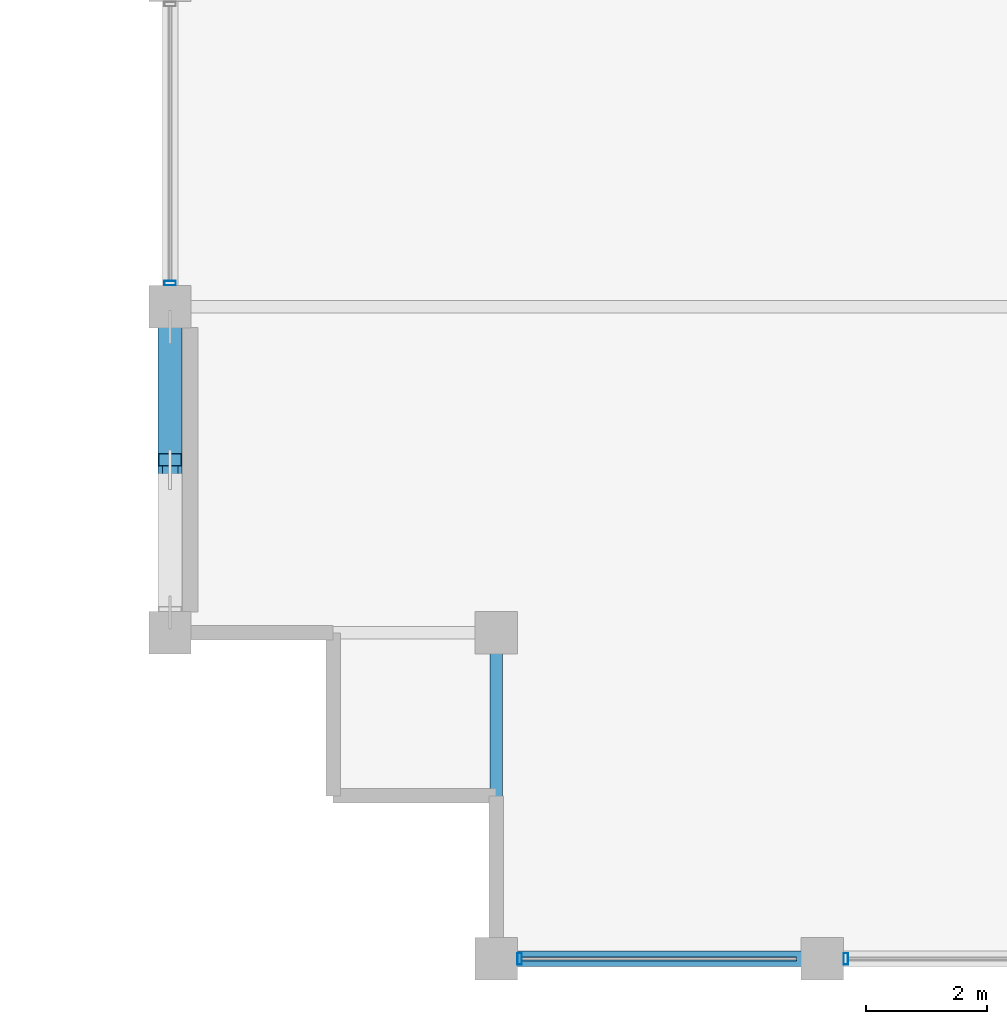
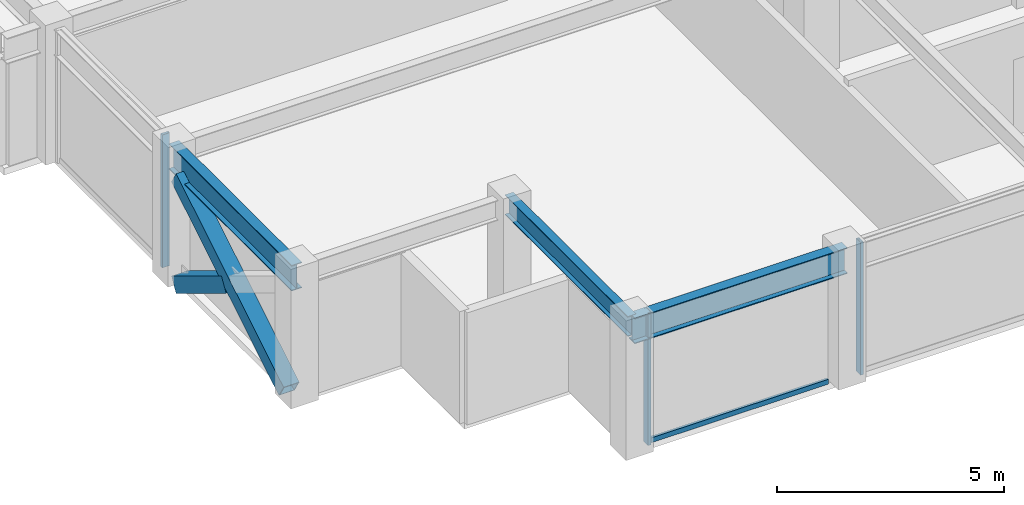
# One storey, part 2 of 31: 6 members, 3 beams, 2 elements without a shape of their own.
"""IFC4 building model written with IfcOpenShell, lengths in metres."""

from ifc_helpers import new_model, si_unit, direction, frame, origin, origin_2d, place, context, subcontext, project, spatial, hollow_rectangle, i_section, extrude, material, layer, layer_set, material_profile, profile_set, type_object, element, aggregate, save


model = new_model("IFC4")

# Units and contexts
model_context = context("Model", 3, precision=1e-05, world=origin(), true_north=direction((0.0, 1.0)))
body_context = subcontext(model_context, "Body", "Model", "MODEL_VIEW")
ifc_project = project(units=[si_unit("LENGTHUNIT", "METRE"), si_unit("AREAUNIT", "SQUARE_METRE"), si_unit("VOLUMEUNIT", "CUBIC_METRE"), si_unit("PLANEANGLEUNIT", "RADIAN"), si_unit("MASSUNIT", "GRAM", prefix="KILO")], contexts=[model_context])

# Site, building, storey
site_placement = place(None, origin())
site = spatial("IfcSite", under=ifc_project, at=site_placement, CompositionType="ELEMENT")
building_placement = place(site_placement, origin())
building = spatial("IfcBuilding", under=site, at=building_placement, Name="Surkhivell Harbour Commons", CompositionType="ELEMENT")
storey_placement = place(building_placement, frame((0.0, 0.0, 270.0)))
storey = spatial("IfcBuildingStorey", under=building, at=storey_placement, Name="L70", CompositionType="ELEMENT", Elevation=270.0)

# Beams
ifc_material_1 = material(Name="Steel S355", Category="steel")
ifc_material_profile_1 = material_profile(ifc_material_1, i_section(OverallWidth=0.2099609375, OverallDepth=0.537109375, WebThickness=0.0107421875, FlangeThickness=0.017333984375, at=origin_2d()), Name="UB533x210x101")
ifc_profile_set_1 = profile_set([ifc_material_profile_1], Name="Steel S355")
beam_type_1 = type_object("IfcBeamType", Name="BM-GRD-533B", PredefinedType="BEAM", material=ifc_profile_set_1)
beam_1_placement = place(storey_placement, frame((-21.60009765625, -21.60009765625, 3.301513671875), z_axis=(0.0, 1.0, 0.0), x_axis=(-1.0, 0.0, 0.0)))
element("IfcBeam", 1, at=beam_1_placement, inside=storey, type_object=beam_type_1, Name="L70 Floor Girder (-21.6,-21.6)", PredefinedType="BEAM", context=body_context, shape_type="SweptSolid", body=[
    extrude(i_section(OverallWidth=0.2099609375, OverallDepth=0.537109375, WebThickness=0.0107421875, FlangeThickness=0.017333984375, at=origin_2d()), origin(), (0.0, 0.0, 1.0), 5.400146484375),
])
ifc_material_profile_2 = material_profile(ifc_material_1, i_section(OverallWidth=0.256103515625, OverallDepth=0.693115234375, WebThickness=0.014404296875, FlangeThickness=0.023681640625, at=origin_2d()), Name="UB686x254x170")
ifc_profile_set_2 = profile_set([ifc_material_profile_2], Name="Steel S355")
beam_type_2 = type_object("IfcBeamType", Name="BM-SPN-686", PredefinedType="SPANDREL", material=ifc_profile_set_2)
beam_2_placement = place(storey_placement, frame((-27.0, -16.199951171875, 3.223388671875), z_axis=(0.0, 1.0, 0.0), x_axis=(-1.0, 0.0, 0.0)))
element("IfcBeam", 2, at=beam_2_placement, inside=storey, type_object=beam_type_2, Name="L70 Tube Spandrel (-27.0,-16.2)", PredefinedType="SPANDREL", context=body_context, shape_type="SweptSolid", body=[
    extrude(i_section(OverallWidth=0.256103515625, OverallDepth=0.693115234375, WebThickness=0.014404296875, FlangeThickness=0.023681640625, at=origin_2d()), origin(), (0.0, 0.0, 1.0), 5.39990234375),
])
beam_3_placement = place(storey_placement, frame((-21.60009765625, -21.60009765625, 3.223388671875), z_axis=(1.0, 0.0, 0.0), x_axis=(0.0, 1.0, 0.0)))
element("IfcBeam", 3, at=beam_3_placement, inside=storey, type_object=beam_type_2, Name="L70 Tube Spandrel (-21.6,-21.6)", PredefinedType="SPANDREL", context=body_context, shape_type="SweptSolid", body=[
    extrude(i_section(OverallWidth=0.256103515625, OverallDepth=0.693115234375, WebThickness=0.014404296875, FlangeThickness=0.023681640625, at=origin_2d()), origin(), (0.0, 0.0, 1.0), 5.400146484375),
])

# Curtain wall, members
ifc_material_2 = material(Name="Anodised pale-metal aluminium and insulated glazing", Category="aluminium")
ifc_layer = layer(ifc_material_2, 0.175048828125)
ifc_layer_set = layer_set([ifc_layer], Name="Anodised pale-metal aluminium and insulated glazing")
curtain_wall_type = type_object("IfcCurtainWallType", Name="CW-SYS-Z4", PredefinedType="NOTDEFINED", material=ifc_layer_set)
curtain_wall_1_placement = place(storey_placement, origin())
curtain_wall_1 = element("IfcCurtainWall", 4, at=curtain_wall_1_placement, inside=storey, type_object=curtain_wall_type, Name="L70 Curtain Wall CW-L70-E00S1", PredefinedType="NOTDEFINED")
ifc_material_3 = material(Name="Anodised pale-metal aluminium alloy 6063-T6", Category="aluminium")
ifc_material_profile_3 = material_profile(ifc_material_3, hollow_rectangle(XDim=0.074951171875, YDim=0.18994140625, WallThickness=0.00390625, at=origin_2d()), Name="ALU-MULL-75x190")
ifc_profile_set_3 = profile_set([ifc_material_profile_3], Name="Anodised pale-metal aluminium alloy 6063-T6")
member_type_1 = type_object("IfcMemberType", Name="CWM-190", PredefinedType="MULLION", material=ifc_profile_set_3)
member_1_placement = place(storey_placement, frame((-21.21044921875, -21.60009765625, 0.0), z_axis=(0.0, 0.0, 1.0), x_axis=(1.0, 0.0, 0.0)))
member_1 = element("IfcMember", 5, at=member_1_placement, type_object=member_type_1, Name="CW-Z4 mullion 1", PredefinedType="MULLION", context=body_context, shape_type="SweptSolid", body=[
    extrude(hollow_rectangle(XDim=0.074951171875, YDim=0.18994140625, WallThickness=0.00390625, at=origin_2d()), origin(), (0.0, 0.0, 1.0), 3.570068359375),
])
member_2_placement = place(storey_placement, frame((-15.810546875, -21.60009765625, 0.0), z_axis=(0.0, 0.0, 1.0), x_axis=(1.0, 0.0, 0.0)))
member_2 = element("IfcMember", 6, at=member_2_placement, type_object=member_type_1, Name="CW-Z4 mullion 2", PredefinedType="MULLION", context=body_context, shape_type="SweptSolid", body=[
    extrude(hollow_rectangle(XDim=0.074951171875, YDim=0.18994140625, WallThickness=0.00390625, at=origin_2d()), origin(), (0.0, 0.0, 1.0), 3.570068359375),
])

# Curtain wall, member
curtain_wall_2_placement = place(storey_placement, origin())
curtain_wall_2 = element("IfcCurtainWall", 7, at=curtain_wall_2_placement, inside=storey, type_object=curtain_wall_type, Name="L70 Curtain Wall CW-L70-E12R1S1", PredefinedType="NOTDEFINED")
member_3_placement = place(storey_placement, frame((-27.0, -10.410400390625, 0.0), z_axis=(0.0, 0.0, 1.0), x_axis=(0.0, 1.0, 0.0)))
member_3 = element("IfcMember", 8, at=member_3_placement, type_object=member_type_1, Name="CW-Z4 mullion 1", PredefinedType="MULLION", context=body_context, shape_type="SweptSolid", body=[
    extrude(hollow_rectangle(XDim=0.074951171875, YDim=0.18994140625, WallThickness=0.00390625, at=origin_2d()), origin(), (0.0, 0.0, 1.0), 3.570068359375),
])
aggregate(curtain_wall_2, [member_3])

# Member
ifc_material_4 = material(Name="Champagne anodised aluminium alloy 6063-T6", Category="aluminium")
ifc_material_profile_4 = material_profile(ifc_material_4, hollow_rectangle(XDim=0.070068359375, YDim=0.1298828125, WallThickness=0.00341796875, at=origin_2d()), Name="ALU-TRAN-70x130")
ifc_profile_set_4 = profile_set([ifc_material_profile_4], Name="Champagne anodised aluminium alloy 6063-T6")
member_type_2 = type_object("IfcMemberType", Name="CWT-130", PredefinedType="USERDEFINED", material=ifc_profile_set_4)
member_4_placement = place(storey_placement, frame((-21.173095703125, -21.60009765625, 0.06494140625), z_axis=(1.0, 0.0, 0.0), x_axis=(0.0, 1.0, 0.0)))
member_4 = element("IfcMember", 9, at=member_4_placement, type_object=member_type_2, Name="CW-Z4 transom 1.1", ObjectType="TRANSOM", PredefinedType="USERDEFINED", context=body_context, shape_type="SweptSolid", body=[
    extrude(hollow_rectangle(XDim=0.070068359375, YDim=0.1298828125, WallThickness=0.00341796875, at=origin_2d()), origin(), (0.0, 0.0, 1.0), 4.546142578125),
])

aggregate(curtain_wall_1, [member_1, member_4, member_2])

# Members
ifc_material_5 = material(Name="Steel S460", Category="steel")
ifc_material_profile_5 = material_profile(ifc_material_5, hollow_rectangle(XDim=0.39990234375, YDim=0.39990234375, WallThickness=0.02001953125, at=origin_2d()), Name="SHS400x400x20")
ifc_profile_set_5 = profile_set([ifc_material_profile_5], Name="Steel S460")
member_type_3 = type_object("IfcMemberType", Name="MEM-BRC-SHS400", PredefinedType="BRACE", material=ifc_profile_set_5)
member_5_placement = place(storey_placement, frame((-27.0, -15.864990234375, 0.008056640625), z_axis=(0.0, 0.854685454322, 0.519146197299), x_axis=(-1.0, 0.0, 0.0)))
element("IfcMember", 10, at=member_5_placement, inside=storey, type_object=member_type_3, Name="L70 Perimeter Mega-Brace MB- 10", PredefinedType="BRACE", context=body_context, shape_type="SweptSolid", body=[
    extrude(hollow_rectangle(XDim=0.39990234375, YDim=0.39990234375, WallThickness=0.02001953125, at=origin_2d()), origin(), (0.0, 0.0, 1.0), 5.5341796875),
])
member_6_placement = place(storey_placement, frame((-27.0, -11.135009765625, 0.008056640625), z_axis=(0.0, -0.854719912157, 0.519089464122), x_axis=(1.0, 0.0, 0.0)))
element("IfcMember", 11, at=member_6_placement, inside=storey, type_object=member_type_3, Name="L70 Perimeter Mega-Brace MB- 11", PredefinedType="BRACE", context=body_context, shape_type="SweptSolid", body=[
    extrude(hollow_rectangle(XDim=0.39990234375, YDim=0.39990234375, WallThickness=0.02001953125, at=origin_2d()), origin(), (0.0, 0.0, 1.0), 2.574951171875),
])

save(model, "model.ifc")
